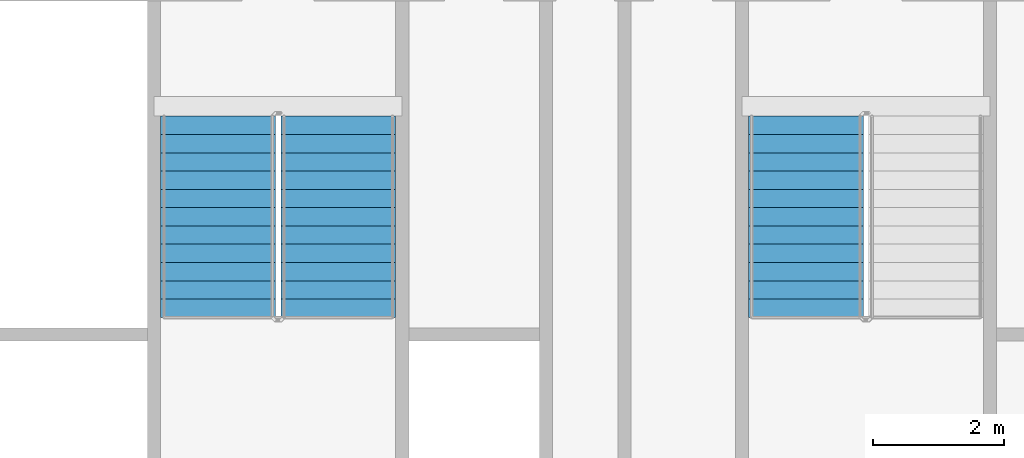
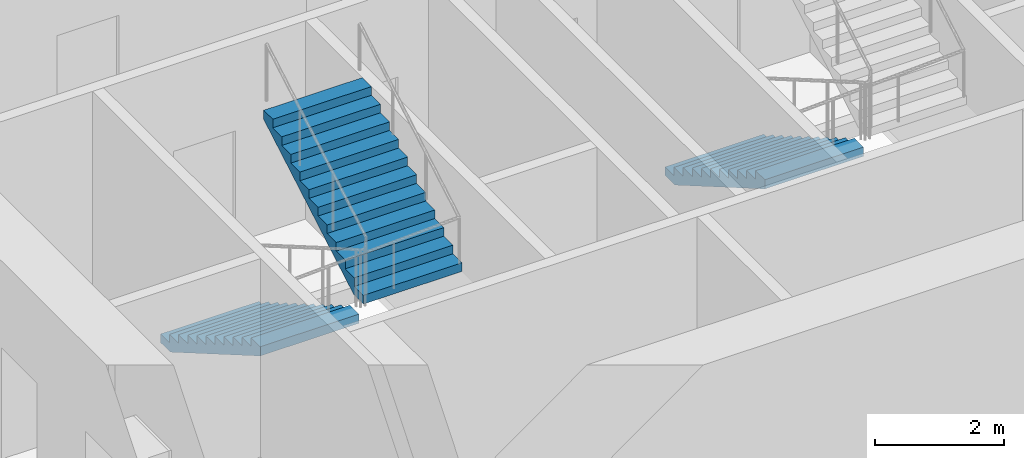
# One storey, part 8 of 15: 3 stair flights, 2 elements without a shape of their own.
"""IFC4 building model written with IfcOpenShell, lengths in metres."""

from ifc_helpers import new_model, si_unit, direction, frame, origin, place, context, subcontext, project, spatial, faceted_brep, material, type_object, element, aggregate, save


model = new_model("IFC4")

# Units and contexts
model_context = context("Model", 3, precision=1e-05, world=origin(), true_north=direction((0.0, 1.0)))
body_context = subcontext(model_context, "Body", "Model", "MODEL_VIEW")
ifc_project = project(units=[si_unit("LENGTHUNIT", "METRE"), si_unit("AREAUNIT", "SQUARE_METRE"), si_unit("VOLUMEUNIT", "CUBIC_METRE"), si_unit("PLANEANGLEUNIT", "RADIAN"), si_unit("MASSUNIT", "GRAM", prefix="KILO")], contexts=[model_context])

# Site, building, storey
site_placement = place(None, origin())
site = spatial("IfcSite", under=ifc_project, at=site_placement, CompositionType="ELEMENT")
building_placement = place(site_placement, origin())
building = spatial("IfcBuilding", under=site, at=building_placement, Name="Tarsis Ring Headquarters", CompositionType="ELEMENT")
storey_placement = place(building_placement, frame((0.0, 0.0, 75.10009765625)))
storey = spatial("IfcBuildingStorey", under=building, at=storey_placement, Name="L16", CompositionType="ELEMENT", Elevation=75.10009765625)

# Stair, stair flights
ifc_material_1 = material(Name="Core stair 1760")
stair_type = type_object("IfcStairType", Name="Core stair 1760", PredefinedType="HALF_TURN_STAIR", material=ifc_material_1)
stair_1_placement = place(storey_placement, origin())
stair_1 = element("IfcStair", 1, at=stair_1_placement, inside=storey, type_object=stair_type, Name="L16 Exit stair C", PredefinedType="HALF_TURN_STAIR")
ifc_material_2 = material(Name="Concrete C40/50", Category="concrete")
stair_flight_type = type_object("IfcStairFlightType", Name="Core stair flight 1760", PredefinedType="STRAIGHT", material=ifc_material_2)
stair_flight_1_placement = place(storey_placement, frame((-5.419921875, -3.659912109375, 0.0), z_axis=(0.0, 0.0, 1.0), x_axis=(0.0, -1.0, 0.0)))
stair_flight_1 = element("IfcStairFlight", 2, at=stair_flight_1_placement, type_object=stair_flight_type, Name="Stair ST3 flight 1", NumberOfRisers=12, NumberOfTreads=11, PredefinedType="STRAIGHT", RiserHeight=0.1625, TreadLength=0.28, context=body_context, shape_type="Brep", body=[
    faceted_brep([(0.0, 0.8798828125, 0.0), (0.0, 0.8798828125, 0.16259765625), (0.280029296875, 0.8798828125, 0.16259765625), (0.280029296875, 0.8798828125, 0.324951171875), (0.56005859375, 0.8798828125, 0.324951171875), (0.56005859375, 0.8798828125, 0.487548828125), (0.840087890625, 0.8798828125, 0.487548828125), (0.840087890625, 0.8798828125, 0.64990234375), (1.1201171875, 0.8798828125, 0.64990234375), (1.1201171875, 0.8798828125, 0.8125), (1.39990234375, 0.8798828125, 0.8125), (1.39990234375, 0.8798828125, 0.97509765625), (1.679931640625, 0.8798828125, 0.97509765625), (1.679931640625, 0.8798828125, 1.137451171875), (1.9599609375, 0.8798828125, 1.137451171875), (1.9599609375, 0.8798828125, 1.300048828125), (2.239990234375, 0.8798828125, 1.300048828125), (2.239990234375, 0.8798828125, 1.46240234375), (2.52001953125, 0.8798828125, 1.46240234375), (2.52001953125, 0.8798828125, 1.625), (2.800048828125, 0.8798828125, 1.625), (2.800048828125, 0.8798828125, 1.78759765625), (3.080078125, 0.8798828125, 1.78759765625), (3.080078125, 0.8798828125, 1.6142578125), (0.298583984375, 0.8798828125, 0.0), (0.298583984375, -0.8798828125, 0.0), (3.080078125, -0.8798828125, 1.6142578125), (3.080078125, -0.8798828125, 1.78759765625), (2.800048828125, -0.8798828125, 1.78759765625), (2.800048828125, -0.8798828125, 1.625), (2.52001953125, -0.8798828125, 1.625), (2.52001953125, -0.8798828125, 1.46240234375), (2.239990234375, -0.8798828125, 1.46240234375), (2.239990234375, -0.8798828125, 1.300048828125), (1.9599609375, -0.8798828125, 1.300048828125), (1.9599609375, -0.8798828125, 1.137451171875), (1.679931640625, -0.8798828125, 1.137451171875), (1.679931640625, -0.8798828125, 0.97509765625), (1.39990234375, -0.8798828125, 0.97509765625), (1.39990234375, -0.8798828125, 0.8125), (1.1201171875, -0.8798828125, 0.8125), (1.1201171875, -0.8798828125, 0.64990234375), (0.840087890625, -0.8798828125, 0.64990234375), (0.840087890625, -0.8798828125, 0.487548828125), (0.56005859375, -0.8798828125, 0.487548828125), (0.56005859375, -0.8798828125, 0.324951171875), (0.280029296875, -0.8798828125, 0.324951171875), (0.280029296875, -0.8798828125, 0.16259765625), (0.0, -0.8798828125, 0.16259765625), (0.0, -0.8798828125, 0.0), (0.0, -0.43994140625, 0.16259765625), (0.0, -0.43994140625, 0.0), (0.0, 0.0, 0.16259765625), (0.0, 0.0, 0.0), (0.0, 0.43994140625, 0.16259765625), (0.0, 0.43994140625, 0.0), (0.280029296875, -0.43994140625, 0.16259765625), (0.280029296875, 0.0, 0.16259765625), (0.280029296875, 0.43994140625, 0.16259765625), (0.280029296875, -0.43994140625, 0.324951171875), (0.280029296875, 0.0, 0.324951171875), (0.280029296875, 0.43994140625, 0.324951171875), (0.56005859375, -0.43994140625, 0.324951171875), (0.56005859375, 0.0, 0.324951171875), (0.56005859375, 0.43994140625, 0.324951171875), (0.56005859375, -0.43994140625, 0.487548828125), (0.56005859375, 0.0, 0.487548828125), (0.56005859375, 0.43994140625, 0.487548828125), (0.840087890625, -0.43994140625, 0.487548828125), (0.840087890625, 0.0, 0.487548828125), (0.840087890625, 0.43994140625, 0.487548828125), (0.840087890625, -0.43994140625, 0.64990234375), (0.840087890625, 0.0, 0.64990234375), (0.840087890625, 0.43994140625, 0.64990234375), (1.1201171875, -0.43994140625, 0.64990234375), (1.1201171875, 0.0, 0.64990234375), (1.1201171875, 0.43994140625, 0.64990234375), (1.1201171875, -0.43994140625, 0.8125), (1.1201171875, 0.0, 0.8125), (1.1201171875, 0.43994140625, 0.8125), (1.39990234375, -0.43994140625, 0.8125), (1.39990234375, 0.0, 0.8125), (1.39990234375, 0.43994140625, 0.8125), (1.39990234375, -0.43994140625, 0.97509765625), (1.39990234375, 0.0, 0.97509765625), (1.39990234375, 0.43994140625, 0.97509765625), (1.679931640625, -0.43994140625, 0.97509765625), (1.679931640625, 0.0, 0.97509765625), (1.679931640625, 0.43994140625, 0.97509765625), (1.679931640625, -0.43994140625, 1.137451171875), (1.679931640625, 0.0, 1.137451171875), (1.679931640625, 0.43994140625, 1.137451171875), (1.9599609375, -0.43994140625, 1.137451171875), (1.9599609375, 0.0, 1.137451171875), (1.9599609375, 0.43994140625, 1.137451171875), (1.9599609375, -0.43994140625, 1.300048828125), (1.9599609375, 0.0, 1.300048828125), (1.9599609375, 0.43994140625, 1.300048828125), (2.239990234375, -0.43994140625, 1.300048828125), (2.239990234375, 0.0, 1.300048828125), (2.239990234375, 0.43994140625, 1.300048828125), (2.239990234375, -0.43994140625, 1.46240234375), (2.239990234375, 0.0, 1.46240234375), (2.239990234375, 0.43994140625, 1.46240234375), (2.52001953125, -0.43994140625, 1.46240234375), (2.52001953125, 0.0, 1.46240234375), (2.52001953125, 0.43994140625, 1.46240234375), (2.52001953125, -0.43994140625, 1.625), (2.52001953125, 0.0, 1.625), (2.52001953125, 0.43994140625, 1.625), (2.800048828125, -0.43994140625, 1.625), (2.800048828125, 0.0, 1.625), (2.800048828125, 0.43994140625, 1.625), (2.800048828125, -0.43994140625, 1.78759765625), (2.800048828125, 0.0, 1.78759765625), (2.800048828125, 0.43994140625, 1.78759765625), (3.080078125, -0.43994140625, 1.78759765625), (3.080078125, 0.0, 1.78759765625), (3.080078125, 0.43994140625, 1.78759765625), (3.080078125, -0.43994140625, 1.6142578125), (3.080078125, 0.0, 1.6142578125), (3.080078125, 0.43994140625, 1.6142578125), (0.298583984375, -0.43994140625, 0.0), (0.298583984375, 0.0, 0.0), (0.298583984375, 0.43994140625, 0.0)], [[[0, 1, 2, 3, 4, 5, 6, 7, 8, 9, 10, 11, 12, 13, 14, 15, 16, 17, 18, 19, 20, 21, 22, 23, 24]], [[25, 26, 27, 28, 29, 30, 31, 32, 33, 34, 35, 36, 37, 38, 39, 40, 41, 42, 43, 44, 45, 46, 47, 48, 49]], [[49, 48, 50, 51]], [[51, 50, 52, 53]], [[53, 52, 54, 55]], [[55, 54, 1, 0]], [[48, 47, 56, 50]], [[50, 56, 57, 52]], [[52, 57, 58, 54]], [[54, 58, 2, 1]], [[47, 46, 59, 56]], [[56, 59, 60, 57]], [[57, 60, 61, 58]], [[58, 61, 3, 2]], [[46, 45, 62, 59]], [[59, 62, 63, 60]], [[60, 63, 64, 61]], [[61, 64, 4, 3]], [[45, 44, 65, 62]], [[62, 65, 66, 63]], [[63, 66, 67, 64]], [[64, 67, 5, 4]], [[44, 43, 68, 65]], [[65, 68, 69, 66]], [[66, 69, 70, 67]], [[67, 70, 6, 5]], [[43, 42, 71, 68]], [[68, 71, 72, 69]], [[69, 72, 73, 70]], [[70, 73, 7, 6]], [[42, 41, 74, 71]], [[71, 74, 75, 72]], [[72, 75, 76, 73]], [[73, 76, 8, 7]], [[41, 40, 77, 74]], [[74, 77, 78, 75]], [[75, 78, 79, 76]], [[76, 79, 9, 8]], [[40, 39, 80, 77]], [[77, 80, 81, 78]], [[78, 81, 82, 79]], [[79, 82, 10, 9]], [[39, 38, 83, 80]], [[80, 83, 84, 81]], [[81, 84, 85, 82]], [[82, 85, 11, 10]], [[38, 37, 86, 83]], [[83, 86, 87, 84]], [[84, 87, 88, 85]], [[85, 88, 12, 11]], [[37, 36, 89, 86]], [[86, 89, 90, 87]], [[87, 90, 91, 88]], [[88, 91, 13, 12]], [[36, 35, 92, 89]], [[89, 92, 93, 90]], [[90, 93, 94, 91]], [[91, 94, 14, 13]], [[35, 34, 95, 92]], [[92, 95, 96, 93]], [[93, 96, 97, 94]], [[94, 97, 15, 14]], [[34, 33, 98, 95]], [[95, 98, 99, 96]], [[96, 99, 100, 97]], [[97, 100, 16, 15]], [[33, 32, 101, 98]], [[98, 101, 102, 99]], [[99, 102, 103, 100]], [[100, 103, 17, 16]], [[32, 31, 104, 101]], [[101, 104, 105, 102]], [[102, 105, 106, 103]], [[103, 106, 18, 17]], [[31, 30, 107, 104]], [[104, 107, 108, 105]], [[105, 108, 109, 106]], [[106, 109, 19, 18]], [[30, 29, 110, 107]], [[107, 110, 111, 108]], [[108, 111, 112, 109]], [[109, 112, 20, 19]], [[29, 28, 113, 110]], [[110, 113, 114, 111]], [[111, 114, 115, 112]], [[112, 115, 21, 20]], [[28, 27, 116, 113]], [[113, 116, 117, 114]], [[114, 117, 118, 115]], [[115, 118, 22, 21]], [[27, 26, 119, 116]], [[116, 119, 120, 117]], [[117, 120, 121, 118]], [[118, 121, 23, 22]], [[26, 25, 122, 119]], [[119, 122, 123, 120]], [[120, 123, 124, 121]], [[121, 124, 24, 23]], [[25, 49, 51, 122]], [[122, 51, 53, 123]], [[123, 53, 55, 124]], [[124, 55, 0, 24]]]),
])
stair_flight_2_placement = place(storey_placement, frame((-3.580078125, -6.739990234375, 1.949951171875), z_axis=(0.0, 0.0, 1.0), x_axis=(0.0, 1.0, 0.0)))
stair_flight_2 = element("IfcStairFlight", 3, at=stair_flight_2_placement, type_object=stair_flight_type, Name="Stair ST3 flight 2", NumberOfRisers=12, NumberOfTreads=11, PredefinedType="STRAIGHT", RiserHeight=0.1625, TreadLength=0.28, context=body_context, shape_type="Brep", body=[
    faceted_brep([(0.0, 0.8798828125, 0.0), (0.0, 0.8798828125, 0.16259765625), (0.280029296875, 0.8798828125, 0.16259765625), (0.280029296875, 0.8798828125, 0.324951171875), (0.56005859375, 0.8798828125, 0.324951171875), (0.56005859375, 0.8798828125, 0.487548828125), (0.840087890625, 0.8798828125, 0.487548828125), (0.840087890625, 0.8798828125, 0.64990234375), (1.1201171875, 0.8798828125, 0.64990234375), (1.1201171875, 0.8798828125, 0.8125), (1.39990234375, 0.8798828125, 0.8125), (1.39990234375, 0.8798828125, 0.97509765625), (1.679931640625, 0.8798828125, 0.97509765625), (1.679931640625, 0.8798828125, 1.137451171875), (1.9599609375, 0.8798828125, 1.137451171875), (1.9599609375, 0.8798828125, 1.300048828125), (2.239990234375, 0.8798828125, 1.300048828125), (2.239990234375, 0.8798828125, 1.46240234375), (2.52001953125, 0.8798828125, 1.46240234375), (2.52001953125, 0.8798828125, 1.625), (2.800048828125, 0.8798828125, 1.625), (2.800048828125, 0.8798828125, 1.78759765625), (3.080078125, 0.8798828125, 1.78759765625), (3.080078125, 0.8798828125, 1.6142578125), (0.298583984375, 0.8798828125, 0.0), (0.298583984375, -0.8798828125, 0.0), (3.080078125, -0.8798828125, 1.6142578125), (3.080078125, -0.8798828125, 1.78759765625), (2.800048828125, -0.8798828125, 1.78759765625), (2.800048828125, -0.8798828125, 1.625), (2.52001953125, -0.8798828125, 1.625), (2.52001953125, -0.8798828125, 1.46240234375), (2.239990234375, -0.8798828125, 1.46240234375), (2.239990234375, -0.8798828125, 1.300048828125), (1.9599609375, -0.8798828125, 1.300048828125), (1.9599609375, -0.8798828125, 1.137451171875), (1.679931640625, -0.8798828125, 1.137451171875), (1.679931640625, -0.8798828125, 0.97509765625), (1.39990234375, -0.8798828125, 0.97509765625), (1.39990234375, -0.8798828125, 0.8125), (1.1201171875, -0.8798828125, 0.8125), (1.1201171875, -0.8798828125, 0.64990234375), (0.840087890625, -0.8798828125, 0.64990234375), (0.840087890625, -0.8798828125, 0.487548828125), (0.56005859375, -0.8798828125, 0.487548828125), (0.56005859375, -0.8798828125, 0.324951171875), (0.280029296875, -0.8798828125, 0.324951171875), (0.280029296875, -0.8798828125, 0.16259765625), (0.0, -0.8798828125, 0.16259765625), (0.0, -0.8798828125, 0.0), (0.0, -0.43994140625, 0.16259765625), (0.0, -0.43994140625, 0.0), (0.0, 0.0, 0.16259765625), (0.0, 0.0, 0.0), (0.0, 0.43994140625, 0.16259765625), (0.0, 0.43994140625, 0.0), (0.280029296875, -0.43994140625, 0.16259765625), (0.280029296875, 0.0, 0.16259765625), (0.280029296875, 0.43994140625, 0.16259765625), (0.280029296875, -0.43994140625, 0.324951171875), (0.280029296875, 0.0, 0.324951171875), (0.280029296875, 0.43994140625, 0.324951171875), (0.56005859375, -0.43994140625, 0.324951171875), (0.56005859375, 0.0, 0.324951171875), (0.56005859375, 0.43994140625, 0.324951171875), (0.56005859375, -0.43994140625, 0.487548828125), (0.56005859375, 0.0, 0.487548828125), (0.56005859375, 0.43994140625, 0.487548828125), (0.840087890625, -0.43994140625, 0.487548828125), (0.840087890625, 0.0, 0.487548828125), (0.840087890625, 0.43994140625, 0.487548828125), (0.840087890625, -0.43994140625, 0.64990234375), (0.840087890625, 0.0, 0.64990234375), (0.840087890625, 0.43994140625, 0.64990234375), (1.1201171875, -0.43994140625, 0.64990234375), (1.1201171875, 0.0, 0.64990234375), (1.1201171875, 0.43994140625, 0.64990234375), (1.1201171875, -0.43994140625, 0.8125), (1.1201171875, 0.0, 0.8125), (1.1201171875, 0.43994140625, 0.8125), (1.39990234375, -0.43994140625, 0.8125), (1.39990234375, 0.0, 0.8125), (1.39990234375, 0.43994140625, 0.8125), (1.39990234375, -0.43994140625, 0.97509765625), (1.39990234375, 0.0, 0.97509765625), (1.39990234375, 0.43994140625, 0.97509765625), (1.679931640625, -0.43994140625, 0.97509765625), (1.679931640625, 0.0, 0.97509765625), (1.679931640625, 0.43994140625, 0.97509765625), (1.679931640625, -0.43994140625, 1.137451171875), (1.679931640625, 0.0, 1.137451171875), (1.679931640625, 0.43994140625, 1.137451171875), (1.9599609375, -0.43994140625, 1.137451171875), (1.9599609375, 0.0, 1.137451171875), (1.9599609375, 0.43994140625, 1.137451171875), (1.9599609375, -0.43994140625, 1.300048828125), (1.9599609375, 0.0, 1.300048828125), (1.9599609375, 0.43994140625, 1.300048828125), (2.239990234375, -0.43994140625, 1.300048828125), (2.239990234375, 0.0, 1.300048828125), (2.239990234375, 0.43994140625, 1.300048828125), (2.239990234375, -0.43994140625, 1.46240234375), (2.239990234375, 0.0, 1.46240234375), (2.239990234375, 0.43994140625, 1.46240234375), (2.52001953125, -0.43994140625, 1.46240234375), (2.52001953125, 0.0, 1.46240234375), (2.52001953125, 0.43994140625, 1.46240234375), (2.52001953125, -0.43994140625, 1.625), (2.52001953125, 0.0, 1.625), (2.52001953125, 0.43994140625, 1.625), (2.800048828125, -0.43994140625, 1.625), (2.800048828125, 0.0, 1.625), (2.800048828125, 0.43994140625, 1.625), (2.800048828125, -0.43994140625, 1.78759765625), (2.800048828125, 0.0, 1.78759765625), (2.800048828125, 0.43994140625, 1.78759765625), (3.080078125, -0.43994140625, 1.78759765625), (3.080078125, 0.0, 1.78759765625), (3.080078125, 0.43994140625, 1.78759765625), (3.080078125, -0.43994140625, 1.6142578125), (3.080078125, 0.0, 1.6142578125), (3.080078125, 0.43994140625, 1.6142578125), (0.298583984375, -0.43994140625, 0.0), (0.298583984375, 0.0, 0.0), (0.298583984375, 0.43994140625, 0.0)], [[[0, 1, 2, 3, 4, 5, 6, 7, 8, 9, 10, 11, 12, 13, 14, 15, 16, 17, 18, 19, 20, 21, 22, 23, 24]], [[25, 26, 27, 28, 29, 30, 31, 32, 33, 34, 35, 36, 37, 38, 39, 40, 41, 42, 43, 44, 45, 46, 47, 48, 49]], [[49, 48, 50, 51]], [[51, 50, 52, 53]], [[53, 52, 54, 55]], [[55, 54, 1, 0]], [[48, 47, 56, 50]], [[50, 56, 57, 52]], [[52, 57, 58, 54]], [[54, 58, 2, 1]], [[47, 46, 59, 56]], [[56, 59, 60, 57]], [[57, 60, 61, 58]], [[58, 61, 3, 2]], [[46, 45, 62, 59]], [[59, 62, 63, 60]], [[60, 63, 64, 61]], [[61, 64, 4, 3]], [[45, 44, 65, 62]], [[62, 65, 66, 63]], [[63, 66, 67, 64]], [[64, 67, 5, 4]], [[44, 43, 68, 65]], [[65, 68, 69, 66]], [[66, 69, 70, 67]], [[67, 70, 6, 5]], [[43, 42, 71, 68]], [[68, 71, 72, 69]], [[69, 72, 73, 70]], [[70, 73, 7, 6]], [[42, 41, 74, 71]], [[71, 74, 75, 72]], [[72, 75, 76, 73]], [[73, 76, 8, 7]], [[41, 40, 77, 74]], [[74, 77, 78, 75]], [[75, 78, 79, 76]], [[76, 79, 9, 8]], [[40, 39, 80, 77]], [[77, 80, 81, 78]], [[78, 81, 82, 79]], [[79, 82, 10, 9]], [[39, 38, 83, 80]], [[80, 83, 84, 81]], [[81, 84, 85, 82]], [[82, 85, 11, 10]], [[38, 37, 86, 83]], [[83, 86, 87, 84]], [[84, 87, 88, 85]], [[85, 88, 12, 11]], [[37, 36, 89, 86]], [[86, 89, 90, 87]], [[87, 90, 91, 88]], [[88, 91, 13, 12]], [[36, 35, 92, 89]], [[89, 92, 93, 90]], [[90, 93, 94, 91]], [[91, 94, 14, 13]], [[35, 34, 95, 92]], [[92, 95, 96, 93]], [[93, 96, 97, 94]], [[94, 97, 15, 14]], [[34, 33, 98, 95]], [[95, 98, 99, 96]], [[96, 99, 100, 97]], [[97, 100, 16, 15]], [[33, 32, 101, 98]], [[98, 101, 102, 99]], [[99, 102, 103, 100]], [[100, 103, 17, 16]], [[32, 31, 104, 101]], [[101, 104, 105, 102]], [[102, 105, 106, 103]], [[103, 106, 18, 17]], [[31, 30, 107, 104]], [[104, 107, 108, 105]], [[105, 108, 109, 106]], [[106, 109, 19, 18]], [[30, 29, 110, 107]], [[107, 110, 111, 108]], [[108, 111, 112, 109]], [[109, 112, 20, 19]], [[29, 28, 113, 110]], [[110, 113, 114, 111]], [[111, 114, 115, 112]], [[112, 115, 21, 20]], [[28, 27, 116, 113]], [[113, 116, 117, 114]], [[114, 117, 118, 115]], [[115, 118, 22, 21]], [[27, 26, 119, 116]], [[116, 119, 120, 117]], [[117, 120, 121, 118]], [[118, 121, 23, 22]], [[26, 25, 122, 119]], [[119, 122, 123, 120]], [[120, 123, 124, 121]], [[121, 124, 24, 23]], [[25, 49, 51, 122]], [[122, 51, 53, 123]], [[123, 53, 55, 124]], [[124, 55, 0, 24]]]),
])
aggregate(stair_1, [stair_flight_1, stair_flight_2])

# Stair, stair flight
stair_2_placement = place(storey_placement, origin())
stair_2 = element("IfcStair", 4, at=stair_2_placement, inside=storey, type_object=stair_type, Name="L16 Exit stair D", PredefinedType="HALF_TURN_STAIR")
stair_flight_3_placement = place(storey_placement, frame((3.580078125, -3.659912109375, 0.0), z_axis=(0.0, 0.0, 1.0), x_axis=(0.0, -1.0, 0.0)))
stair_flight_3 = element("IfcStairFlight", 5, at=stair_flight_3_placement, type_object=stair_flight_type, Name="Stair ST4 flight 1", NumberOfRisers=12, NumberOfTreads=11, PredefinedType="STRAIGHT", RiserHeight=0.1625, TreadLength=0.28, context=body_context, shape_type="Brep", body=[
    faceted_brep([(0.0, 0.8798828125, 0.0), (0.0, 0.8798828125, 0.16259765625), (0.280029296875, 0.8798828125, 0.16259765625), (0.280029296875, 0.8798828125, 0.324951171875), (0.56005859375, 0.8798828125, 0.324951171875), (0.56005859375, 0.8798828125, 0.487548828125), (0.840087890625, 0.8798828125, 0.487548828125), (0.840087890625, 0.8798828125, 0.64990234375), (1.1201171875, 0.8798828125, 0.64990234375), (1.1201171875, 0.8798828125, 0.8125), (1.39990234375, 0.8798828125, 0.8125), (1.39990234375, 0.8798828125, 0.97509765625), (1.679931640625, 0.8798828125, 0.97509765625), (1.679931640625, 0.8798828125, 1.137451171875), (1.9599609375, 0.8798828125, 1.137451171875), (1.9599609375, 0.8798828125, 1.300048828125), (2.239990234375, 0.8798828125, 1.300048828125), (2.239990234375, 0.8798828125, 1.46240234375), (2.52001953125, 0.8798828125, 1.46240234375), (2.52001953125, 0.8798828125, 1.625), (2.800048828125, 0.8798828125, 1.625), (2.800048828125, 0.8798828125, 1.78759765625), (3.080078125, 0.8798828125, 1.78759765625), (3.080078125, 0.8798828125, 1.6142578125), (0.298583984375, 0.8798828125, 0.0), (0.298583984375, -0.8798828125, 0.0), (3.080078125, -0.8798828125, 1.6142578125), (3.080078125, -0.8798828125, 1.78759765625), (2.800048828125, -0.8798828125, 1.78759765625), (2.800048828125, -0.8798828125, 1.625), (2.52001953125, -0.8798828125, 1.625), (2.52001953125, -0.8798828125, 1.46240234375), (2.239990234375, -0.8798828125, 1.46240234375), (2.239990234375, -0.8798828125, 1.300048828125), (1.9599609375, -0.8798828125, 1.300048828125), (1.9599609375, -0.8798828125, 1.137451171875), (1.679931640625, -0.8798828125, 1.137451171875), (1.679931640625, -0.8798828125, 0.97509765625), (1.39990234375, -0.8798828125, 0.97509765625), (1.39990234375, -0.8798828125, 0.8125), (1.1201171875, -0.8798828125, 0.8125), (1.1201171875, -0.8798828125, 0.64990234375), (0.840087890625, -0.8798828125, 0.64990234375), (0.840087890625, -0.8798828125, 0.487548828125), (0.56005859375, -0.8798828125, 0.487548828125), (0.56005859375, -0.8798828125, 0.324951171875), (0.280029296875, -0.8798828125, 0.324951171875), (0.280029296875, -0.8798828125, 0.16259765625), (0.0, -0.8798828125, 0.16259765625), (0.0, -0.8798828125, 0.0), (0.0, -0.43994140625, 0.16259765625), (0.0, -0.43994140625, 0.0), (0.0, 0.0, 0.16259765625), (0.0, 0.0, 0.0), (0.0, 0.43994140625, 0.16259765625), (0.0, 0.43994140625, 0.0), (0.280029296875, -0.43994140625, 0.16259765625), (0.280029296875, 0.0, 0.16259765625), (0.280029296875, 0.43994140625, 0.16259765625), (0.280029296875, -0.43994140625, 0.324951171875), (0.280029296875, 0.0, 0.324951171875), (0.280029296875, 0.43994140625, 0.324951171875), (0.56005859375, -0.43994140625, 0.324951171875), (0.56005859375, 0.0, 0.324951171875), (0.56005859375, 0.43994140625, 0.324951171875), (0.56005859375, -0.43994140625, 0.487548828125), (0.56005859375, 0.0, 0.487548828125), (0.56005859375, 0.43994140625, 0.487548828125), (0.840087890625, -0.43994140625, 0.487548828125), (0.840087890625, 0.0, 0.487548828125), (0.840087890625, 0.43994140625, 0.487548828125), (0.840087890625, -0.43994140625, 0.64990234375), (0.840087890625, 0.0, 0.64990234375), (0.840087890625, 0.43994140625, 0.64990234375), (1.1201171875, -0.43994140625, 0.64990234375), (1.1201171875, 0.0, 0.64990234375), (1.1201171875, 0.43994140625, 0.64990234375), (1.1201171875, -0.43994140625, 0.8125), (1.1201171875, 0.0, 0.8125), (1.1201171875, 0.43994140625, 0.8125), (1.39990234375, -0.43994140625, 0.8125), (1.39990234375, 0.0, 0.8125), (1.39990234375, 0.43994140625, 0.8125), (1.39990234375, -0.43994140625, 0.97509765625), (1.39990234375, 0.0, 0.97509765625), (1.39990234375, 0.43994140625, 0.97509765625), (1.679931640625, -0.43994140625, 0.97509765625), (1.679931640625, 0.0, 0.97509765625), (1.679931640625, 0.43994140625, 0.97509765625), (1.679931640625, -0.43994140625, 1.137451171875), (1.679931640625, 0.0, 1.137451171875), (1.679931640625, 0.43994140625, 1.137451171875), (1.9599609375, -0.43994140625, 1.137451171875), (1.9599609375, 0.0, 1.137451171875), (1.9599609375, 0.43994140625, 1.137451171875), (1.9599609375, -0.43994140625, 1.300048828125), (1.9599609375, 0.0, 1.300048828125), (1.9599609375, 0.43994140625, 1.300048828125), (2.239990234375, -0.43994140625, 1.300048828125), (2.239990234375, 0.0, 1.300048828125), (2.239990234375, 0.43994140625, 1.300048828125), (2.239990234375, -0.43994140625, 1.46240234375), (2.239990234375, 0.0, 1.46240234375), (2.239990234375, 0.43994140625, 1.46240234375), (2.52001953125, -0.43994140625, 1.46240234375), (2.52001953125, 0.0, 1.46240234375), (2.52001953125, 0.43994140625, 1.46240234375), (2.52001953125, -0.43994140625, 1.625), (2.52001953125, 0.0, 1.625), (2.52001953125, 0.43994140625, 1.625), (2.800048828125, -0.43994140625, 1.625), (2.800048828125, 0.0, 1.625), (2.800048828125, 0.43994140625, 1.625), (2.800048828125, -0.43994140625, 1.78759765625), (2.800048828125, 0.0, 1.78759765625), (2.800048828125, 0.43994140625, 1.78759765625), (3.080078125, -0.43994140625, 1.78759765625), (3.080078125, 0.0, 1.78759765625), (3.080078125, 0.43994140625, 1.78759765625), (3.080078125, -0.43994140625, 1.6142578125), (3.080078125, 0.0, 1.6142578125), (3.080078125, 0.43994140625, 1.6142578125), (0.298583984375, -0.43994140625, 0.0), (0.298583984375, 0.0, 0.0), (0.298583984375, 0.43994140625, 0.0)], [[[0, 1, 2, 3, 4, 5, 6, 7, 8, 9, 10, 11, 12, 13, 14, 15, 16, 17, 18, 19, 20, 21, 22, 23, 24]], [[25, 26, 27, 28, 29, 30, 31, 32, 33, 34, 35, 36, 37, 38, 39, 40, 41, 42, 43, 44, 45, 46, 47, 48, 49]], [[49, 48, 50, 51]], [[51, 50, 52, 53]], [[53, 52, 54, 55]], [[55, 54, 1, 0]], [[48, 47, 56, 50]], [[50, 56, 57, 52]], [[52, 57, 58, 54]], [[54, 58, 2, 1]], [[47, 46, 59, 56]], [[56, 59, 60, 57]], [[57, 60, 61, 58]], [[58, 61, 3, 2]], [[46, 45, 62, 59]], [[59, 62, 63, 60]], [[60, 63, 64, 61]], [[61, 64, 4, 3]], [[45, 44, 65, 62]], [[62, 65, 66, 63]], [[63, 66, 67, 64]], [[64, 67, 5, 4]], [[44, 43, 68, 65]], [[65, 68, 69, 66]], [[66, 69, 70, 67]], [[67, 70, 6, 5]], [[43, 42, 71, 68]], [[68, 71, 72, 69]], [[69, 72, 73, 70]], [[70, 73, 7, 6]], [[42, 41, 74, 71]], [[71, 74, 75, 72]], [[72, 75, 76, 73]], [[73, 76, 8, 7]], [[41, 40, 77, 74]], [[74, 77, 78, 75]], [[75, 78, 79, 76]], [[76, 79, 9, 8]], [[40, 39, 80, 77]], [[77, 80, 81, 78]], [[78, 81, 82, 79]], [[79, 82, 10, 9]], [[39, 38, 83, 80]], [[80, 83, 84, 81]], [[81, 84, 85, 82]], [[82, 85, 11, 10]], [[38, 37, 86, 83]], [[83, 86, 87, 84]], [[84, 87, 88, 85]], [[85, 88, 12, 11]], [[37, 36, 89, 86]], [[86, 89, 90, 87]], [[87, 90, 91, 88]], [[88, 91, 13, 12]], [[36, 35, 92, 89]], [[89, 92, 93, 90]], [[90, 93, 94, 91]], [[91, 94, 14, 13]], [[35, 34, 95, 92]], [[92, 95, 96, 93]], [[93, 96, 97, 94]], [[94, 97, 15, 14]], [[34, 33, 98, 95]], [[95, 98, 99, 96]], [[96, 99, 100, 97]], [[97, 100, 16, 15]], [[33, 32, 101, 98]], [[98, 101, 102, 99]], [[99, 102, 103, 100]], [[100, 103, 17, 16]], [[32, 31, 104, 101]], [[101, 104, 105, 102]], [[102, 105, 106, 103]], [[103, 106, 18, 17]], [[31, 30, 107, 104]], [[104, 107, 108, 105]], [[105, 108, 109, 106]], [[106, 109, 19, 18]], [[30, 29, 110, 107]], [[107, 110, 111, 108]], [[108, 111, 112, 109]], [[109, 112, 20, 19]], [[29, 28, 113, 110]], [[110, 113, 114, 111]], [[111, 114, 115, 112]], [[112, 115, 21, 20]], [[28, 27, 116, 113]], [[113, 116, 117, 114]], [[114, 117, 118, 115]], [[115, 118, 22, 21]], [[27, 26, 119, 116]], [[116, 119, 120, 117]], [[117, 120, 121, 118]], [[118, 121, 23, 22]], [[26, 25, 122, 119]], [[119, 122, 123, 120]], [[120, 123, 124, 121]], [[121, 124, 24, 23]], [[25, 49, 51, 122]], [[122, 51, 53, 123]], [[123, 53, 55, 124]], [[124, 55, 0, 24]]]),
])
aggregate(stair_2, [stair_flight_3])

save(model, "model.ifc")
